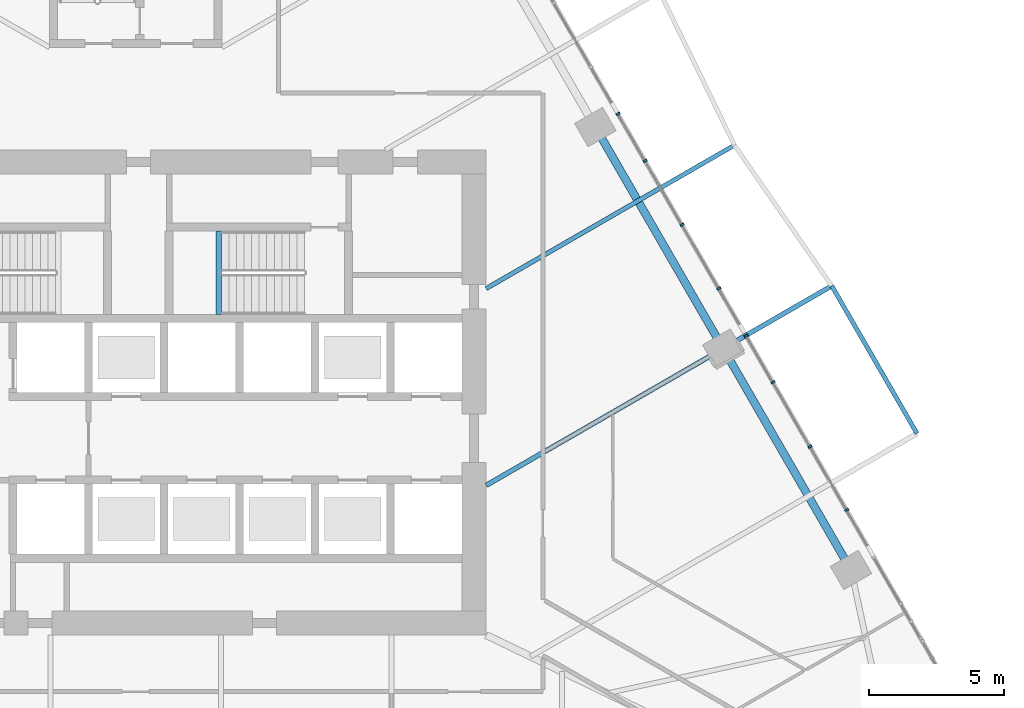
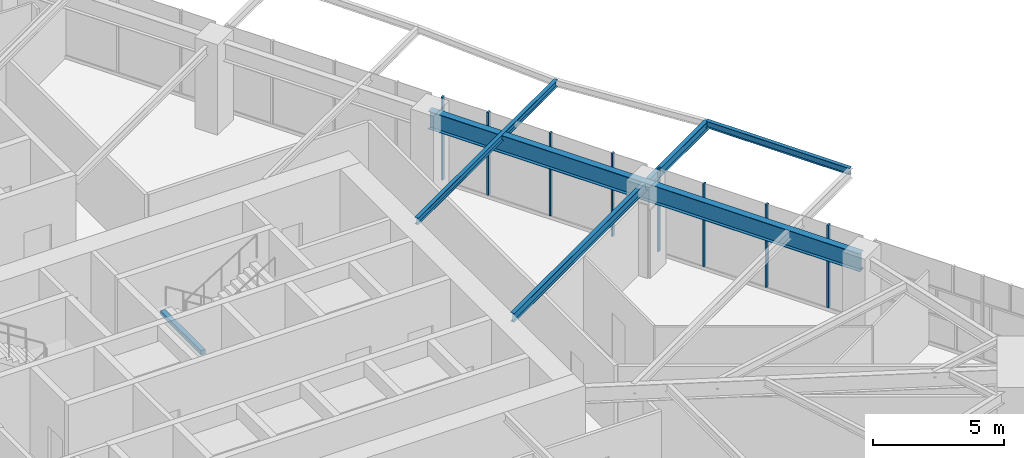
# One storey, part 8 of 26: 8 members, 5 beams, 1 element without a shape of its own.
"""IFC4 building model written with IfcOpenShell, lengths in metres."""

import ifcopenshell
import ifcopenshell.guid

model = None  # the IFC model being written
_history = None  # IfcOwnerHistory: only IFC2X3 demands one
_inside = {}  # id of a spatial element -> (the spatial element, [elements in it])
_under = {}  # id of a project, library or spatial element -> (it, [spatial elements below it])
_declared = {}  # id of a project -> (the project, [libraries it declares])
_typed = {}  # id of a type object -> (the type object, [elements of that type])
_made_of = {}  # id of a material, layer set ... -> (it, [elements and type objects made of it])


def new_model(schema):
    """Start an empty IFC model of exactly this schema.

    Asked for "IFC4X3", IfcOpenShell would pick the latest addendum, in which some entities
    have other attributes; the version numbers below select the first issue.
    IFC2X3 requires an IfcOwnerHistory on every rooted entity: one is made here for all.
    """
    global model, _history
    if schema == "IFC4X3":
        model = ifcopenshell.file(schema_version=(4, 3, 0, 0))
    else:
        model = ifcopenshell.file(schema=schema)
    _inside.clear()
    _under.clear()
    _declared.clear()
    _typed.clear()
    _made_of.clear()
    _history = None
    if model.schema == "IFC2X3":
        org = make("IfcOrganization", Name="unknown")
        user = make(
            "IfcPersonAndOrganization",
            ThePerson=make("IfcPerson", FamilyName="unknown"),
            TheOrganization=org,
        )
        app = make(
            "IfcApplication",
            ApplicationDeveloper=org,
            Version="unknown",
            ApplicationFullName="unknown",
            ApplicationIdentifier="unknown",
        )
        _history = make(
            "IfcOwnerHistory",
            OwningUser=user,
            OwningApplication=app,
            ChangeAction="ADDED",
            CreationDate=0,
        )
    return model


def make(cls, **values):
    """One entity of the class cls with the attributes given. An attribute that is None is left unset."""
    return model.create_entity(
        cls, **{name: value for name, value in values.items() if value is not None}
    )


def rooted(cls, **values):
    """An entity with a GlobalId (a new one), such as an element, a storey or a relation."""
    return make(cls, GlobalId=ifcopenshell.guid.new(), OwnerHistory=_history, **values)


def si_unit(unit_type, name, prefix=None):
    """IfcSIUnit, for example si_unit("LENGTHUNIT", "METRE", prefix="MILLI")."""
    return make("IfcSIUnit", UnitType=unit_type, Prefix=prefix, Name=name)


def assignment(units):
    """IfcUnitAssignment: the units of a project."""
    return None if units is None else make("IfcUnitAssignment", Units=units)


def point(xyz):
    """IfcCartesianPoint."""
    return None if xyz is None else make("IfcCartesianPoint", Coordinates=xyz)


def direction(xyz):
    """IfcDirection."""
    return None if xyz is None else make("IfcDirection", DirectionRatios=xyz)


def frame(location, z_axis=None, x_axis=None):
    """IfcAxis2Placement3D, a coordinate frame: its origin and axes. An axis left out is left unset."""
    return make(
        "IfcAxis2Placement3D",
        Location=point(location),
        Axis=direction(z_axis),
        RefDirection=direction(x_axis),
    )


def frame_2d(location, x_axis=None):
    """IfcAxis2Placement2D, a coordinate frame in the plane: its origin and x axis."""
    return make(
        "IfcAxis2Placement2D", Location=point(location), RefDirection=direction(x_axis)
    )


def origin():
    """The frame at (0, 0, 0) with its axes left unset."""
    return frame((0.0, 0.0, 0.0))


def origin_2d():
    """The frame at (0, 0) in the plane with its x axis left unset."""
    return frame_2d((0.0, 0.0))


def place(relative_to, where):
    """IfcLocalPlacement: puts the frame where relative to a parent placement (None: the world)."""
    return make(
        "IfcLocalPlacement", PlacementRelTo=relative_to, RelativePlacement=where
    )


def context(
    kind, dimensions, precision=None, world=None, true_north=None, identifier=None
):
    """IfcGeometricRepresentationContext, for example the 3D "Model" context."""
    return make(
        "IfcGeometricRepresentationContext",
        ContextIdentifier=identifier,
        ContextType=kind,
        CoordinateSpaceDimension=dimensions,
        Precision=precision,
        WorldCoordinateSystem=world,
        TrueNorth=true_north,
    )


def subcontext(parent, identifier, kind, view, scale=None):
    """IfcGeometricRepresentationSubContext, for example "Body" below "Model"."""
    return make(
        "IfcGeometricRepresentationSubContext",
        ContextIdentifier=identifier,
        ContextType=kind,
        ParentContext=parent,
        TargetScale=scale,
        TargetView=view,
    )


def project(units=None, contexts=None):
    """IfcProject with its units and contexts."""
    return rooted(
        "IfcProject",
        Name="project",
        RepresentationContexts=contexts,
        UnitsInContext=assignment(units),
    )


def spatial(cls, under=None, at=None, **own):
    """A site, building, storey or space (cls), placed at a placement, below another one or the project."""
    s = rooted(cls, ObjectPlacement=at, **own)
    if under is not None:
        _under.setdefault(under.id(), (under, []))[1].append(s)
    return s


def profile(cls, at=None, kind="AREA", **sizes):
    """A parametric profile (cls). Its sizes go by their IFC names, for example OverallWidth=200.0."""
    return make(cls, ProfileType=kind, Position=at, **sizes)


def rectangle(**sizes):
    """IfcRectangleProfileDef."""
    return profile("IfcRectangleProfileDef", **sizes)


def i_section(**sizes):
    """IfcIShapeProfileDef."""
    return profile("IfcIShapeProfileDef", **sizes)


def extrude(swept, where, along, depth):
    """IfcExtrudedAreaSolid: the profile swept, set in the frame where, extruded along a direction by depth."""
    return make(
        "IfcExtrudedAreaSolid",
        SweptArea=swept,
        Position=where,
        ExtrudedDirection=direction(along),
        Depth=depth,
    )


def shape(context_of_items, identifier, shape_type, items):
    """IfcShapeRepresentation: the items that make up one representation, for example the "Body"."""
    return make(
        "IfcShapeRepresentation",
        ContextOfItems=context_of_items,
        RepresentationIdentifier=identifier,
        RepresentationType=shape_type,
        Items=items,
    )


def material(Name=None, Category=None):
    """IfcMaterial."""
    return make("IfcMaterial", Name=Name, Category=Category)


def layer(
    of_material, thickness, ventilated=None, Name=None, Category=None, Priority=None
):
    """IfcMaterialLayer: one layer of a wall or slab, of a material (None: an air gap)."""
    return make(
        "IfcMaterialLayer",
        Material=of_material,
        LayerThickness=thickness,
        IsVentilated=ventilated,
        Name=Name,
        Category=Category,
        Priority=Priority,
    )


def layer_set(layers, Name=None):
    """IfcMaterialLayerSet."""
    return make("IfcMaterialLayerSet", MaterialLayers=layers, LayerSetName=Name)


def material_profile(
    of_material, cross_section, Name=None, Category=None, Priority=None
):
    """IfcMaterialProfile: a cross section and its material."""
    return make(
        "IfcMaterialProfile",
        Name=Name,
        Material=of_material,
        Profile=cross_section,
        Priority=Priority,
        Category=Category,
    )


def profile_set(profiles, Name=None, composite=None):
    """IfcMaterialProfileSet."""
    return make(
        "IfcMaterialProfileSet",
        Name=Name,
        MaterialProfiles=profiles,
        CompositeProfile=composite,
    )


def made_of(thing, what):
    """Note that an element or type object is made of a material, layer set ...; save() writes the relation."""
    if what is not None:
        _made_of.setdefault(what.id(), (what, []))[1].append(thing)
    return thing


def type_object(cls, material=None, **own):
    """A type object (cls), such as IfcWallType, which elements share."""
    return made_of(rooted(cls, **own), material)


def element(
    cls,
    number,
    at=None,
    inside=None,
    cuts=None,
    type_object=None,
    material=None,
    context=None,
    identifier="Body",
    shape_type=None,
    held_by="IfcProductDefinitionShape",
    body=None,
    shapes=None,
    **own,
):
    """One element of the class cls, such as IfcWall. Its Tag is "e" and its number.

    at: its placement. inside: the storey or other place that contains it. cuts: it is an
    opening in that element (IfcRelVoidsElement). A single representation is given by context,
    identifier, shape_type and body (its items); several are given by shapes. held_by: the class
    of the entity that holds the representations. save() writes the other relations.
    """
    e = rooted(cls, Tag="e%d" % number, ObjectPlacement=at, **own)
    if body is not None:
        shapes = [shape(context, identifier, shape_type, body)]
    if shapes is not None:
        e.Representation = make(held_by, Representations=shapes)
    if inside is not None:
        _inside.setdefault(inside.id(), (inside, []))[1].append(e)
    if cuts is not None:
        rooted(
            "IfcRelVoidsElement", RelatingBuildingElement=cuts, RelatedOpeningElement=e
        )
    if type_object is not None:
        _typed.setdefault(type_object.id(), (type_object, []))[1].append(e)
    return made_of(e, material)


def aggregate(whole, parts):
    """IfcRelAggregates: a whole, such as a stair, and the parts it consists of."""
    return rooted("IfcRelAggregates", RelatingObject=whole, RelatedObjects=parts)


def save(model, path):
    """Write the relations noted so far, then the file.

    IfcRelAggregates (storeys below a building ...), IfcRelContainedInSpatialStructure (elements
    in a storey), IfcRelDefinesByType, IfcRelAssociatesMaterial and IfcRelDeclares: one each for
    every whole, place, type object, material and project.
    """
    for whole, parts in _under.values():
        aggregate(whole, parts)
    for where, things in _inside.values():
        rooted(
            "IfcRelContainedInSpatialStructure",
            RelatedElements=things,
            RelatingStructure=where,
        )
    for kind, things in _typed.values():
        rooted("IfcRelDefinesByType", RelatedObjects=things, RelatingType=kind)
    for what, things in _made_of.values():
        rooted("IfcRelAssociatesMaterial", RelatedObjects=things, RelatingMaterial=what)
    for by, libraries in _declared.values():
        rooted("IfcRelDeclares", RelatingContext=by, RelatedDefinitions=libraries)
    model.write(path)


model = new_model("IFC4")

# Units and contexts
model_context = context("Model", 3, precision=1e-05, world=origin(), true_north=direction((0.0, 1.0)))
body_context = subcontext(model_context, "Body", "Model", "MODEL_VIEW")
ifc_project = project(units=[si_unit("LENGTHUNIT", "METRE"), si_unit("AREAUNIT", "SQUARE_METRE"), si_unit("VOLUMEUNIT", "CUBIC_METRE"), si_unit("PLANEANGLEUNIT", "RADIAN"), si_unit("MASSUNIT", "GRAM", prefix="KILO")], contexts=[model_context])

# Site, building, storey
site_placement = place(None, origin())
site = spatial("IfcSite", under=ifc_project, at=site_placement, CompositionType="ELEMENT")
building_placement = place(site_placement, origin())
building = spatial("IfcBuilding", under=site, at=building_placement, Name="Firuza Gate Tower and Library", CompositionType="ELEMENT")
storey_placement = place(building_placement, frame((0.0, 0.0, 77.800048828125)))
storey = spatial("IfcBuildingStorey", under=building, at=storey_placement, Name="L17", CompositionType="ELEMENT", Elevation=77.800048828125)

# Curtain wall, members
ifc_material_1 = material(Name="Aluminium 6063-T6", Category="aluminium")
ifc_layer = layer(ifc_material_1, 0.14990234375)
ifc_layer_set = layer_set([ifc_layer], Name="Unitised curtain wall, offices")
curtain_wall_type = type_object("IfcCurtainWallType", Name="Unitised curtain wall, offices", PredefinedType="NOTDEFINED", material=ifc_layer_set)
curtain_wall_placement = place(storey_placement, origin())
curtain_wall = element("IfcCurtainWall", 1, at=curtain_wall_placement, inside=storey, type_object=curtain_wall_type, Name="CW1 L17 E face", PredefinedType="NOTDEFINED")
ifc_material_2 = material(Name="Aluminium 6063-T6", Category="aluminium")
ifc_material_profile_1 = material_profile(ifc_material_2, rectangle(XDim=0.14990234375, YDim=0.080078125, at=origin_2d()))
ifc_profile_set_1 = profile_set([ifc_material_profile_1], Name="Aluminium 6063-T6")
member_type = type_object("IfcMemberType", Name="Curtain wall mullion 80x150", PredefinedType="MULLION", material=ifc_profile_set_1)
member_1_placement = place(storey_placement, frame((100.017822265625, 72.989990234375, 0.14990234375), z_axis=(0.0, 0.0, 1.0), x_axis=(-0.866025403784, -0.5, 0.0)))
member_1 = element("IfcMember", 2, at=member_1_placement, type_object=member_type, Name="Mullion", PredefinedType="MULLION", context=body_context, shape_type="SweptSolid", body=[
    extrude(rectangle(XDim=0.14990234375, YDim=0.080078125, at=origin_2d()), origin(), (0.0, 0.0, 1.0), 3.85009765625),
])
member_2_placement = place(storey_placement, frame((97.642822265625, 77.103515625, 0.14990234375), z_axis=(0.0, 0.0, 1.0), x_axis=(-0.866025403784, -0.5, 0.0)))
member_2 = element("IfcMember", 3, at=member_2_placement, type_object=member_type, Name="Mullion", PredefinedType="MULLION", context=body_context, shape_type="SweptSolid", body=[
    extrude(rectangle(XDim=0.14990234375, YDim=0.080078125, at=origin_2d()), origin(), (0.0, 0.0, 1.0), 3.85009765625),
])
member_3_placement = place(storey_placement, frame((95.267822265625, 81.217041015625, 0.14990234375), z_axis=(0.0, 0.0, 1.0), x_axis=(-0.866025403784, -0.5, 0.0)))
member_3 = element("IfcMember", 4, at=member_3_placement, type_object=member_type, Name="Mullion", PredefinedType="MULLION", context=body_context, shape_type="SweptSolid", body=[
    extrude(rectangle(XDim=0.14990234375, YDim=0.080078125, at=origin_2d()), origin(), (0.0, 0.0, 1.0), 3.85009765625),
])
member_4_placement = place(storey_placement, frame((92.892822265625, 85.33056640625, 0.14990234375), z_axis=(0.0, 0.0, 1.0), x_axis=(-0.866025403784, -0.5, 0.0)))
member_4 = element("IfcMember", 5, at=member_4_placement, type_object=member_type, Name="Mullion", PredefinedType="MULLION", context=body_context, shape_type="SweptSolid", body=[
    extrude(rectangle(XDim=0.14990234375, YDim=0.080078125, at=origin_2d()), origin(), (0.0, 0.0, 1.0), 3.85009765625),
])
member_5_placement = place(storey_placement, frame((101.373779296875, 70.641357421875, 0.14990234375), z_axis=(0.0, 0.0, 1.0), x_axis=(-0.866025403784, -0.5, 0.0)))
member_5 = element("IfcMember", 6, at=member_5_placement, type_object=member_type, Name="Mullion", PredefinedType="MULLION", context=body_context, shape_type="SweptSolid", body=[
    extrude(rectangle(XDim=0.14990234375, YDim=0.080078125, at=origin_2d()), origin(), (0.0, 0.0, 1.0), 3.85009765625),
])
member_6_placement = place(storey_placement, frame((98.64013671875, 75.3759765625, 0.14990234375), z_axis=(0.0, 0.0, 1.0), x_axis=(-0.866025403784, -0.5, 0.0)))
member_6 = element("IfcMember", 7, at=member_6_placement, type_object=member_type, Name="Mullion", PredefinedType="MULLION", context=body_context, shape_type="SweptSolid", body=[
    extrude(rectangle(XDim=0.14990234375, YDim=0.080078125, at=origin_2d()), origin(), (0.0, 0.0, 1.0), 3.85009765625),
])
member_7_placement = place(storey_placement, frame((96.631103515625, 78.85595703125, 0.14990234375), z_axis=(0.0, 0.0, 1.0), x_axis=(-0.866025403784, -0.5, 0.0)))
member_7 = element("IfcMember", 8, at=member_7_placement, type_object=member_type, Name="Mullion", PredefinedType="MULLION", context=body_context, shape_type="SweptSolid", body=[
    extrude(rectangle(XDim=0.14990234375, YDim=0.080078125, at=origin_2d()), origin(), (0.0, 0.0, 1.0), 3.85009765625),
])
member_8_placement = place(storey_placement, frame((93.8974609375, 83.590576171875, 0.14990234375), z_axis=(0.0, 0.0, 1.0), x_axis=(-0.866025403784, -0.5, 0.0)))
member_8 = element("IfcMember", 9, at=member_8_placement, type_object=member_type, Name="Mullion", PredefinedType="MULLION", context=body_context, shape_type="SweptSolid", body=[
    extrude(rectangle(XDim=0.14990234375, YDim=0.080078125, at=origin_2d()), origin(), (0.0, 0.0, 1.0), 3.85009765625),
])
aggregate(curtain_wall, [member_1, member_2, member_3, member_4, member_5, member_6, member_7, member_8])

# Beams
ifc_material_3 = material(Name="Concrete C35/45", Category="concrete")
ifc_material_profile_2 = material_profile(ifc_material_3, rectangle(XDim=0.199951171875, YDim=0.199951171875, at=origin_2d()))
ifc_profile_set_2 = profile_set([ifc_material_profile_2], Name="Concrete C35/45")
beam_type_1 = type_object("IfcBeamType", Name="Stair landing bearer 200x200", PredefinedType="BEAM", material=ifc_profile_set_2)
beam_1_placement = place(storey_placement, frame((78.080078125, 80.97998046875, 1.800048828125), z_axis=(0.0, -1.0, 0.0), x_axis=(1.0, 0.0, 0.0)))
element("IfcBeam", 10, at=beam_1_placement, inside=storey, type_object=beam_type_1, Name="Landing bearer L17 stair 2", PredefinedType="BEAM", context=body_context, shape_type="SweptSolid", body=[
    extrude(rectangle(XDim=0.199951171875, YDim=0.199951171875, at=origin_2d()), origin(), (0.0, 0.0, 1.0), 3.080078125),
])
ifc_material_4 = material(Name="Steel S355", Category="steel")
ifc_material_profile_3 = material_profile(ifc_material_4, i_section(OverallWidth=0.1650390625, OverallDepth=0.31005859375, WebThickness=0.005859375, FlangeThickness=0.009765625, at=origin_2d()))
ifc_profile_set_3 = profile_set([ifc_material_profile_3], Name="Steel S355")
beam_type_2 = type_object("IfcBeamType", Name="W310x39 Floor beam", PredefinedType="JOIST", material=ifc_profile_set_3)
beam_2_placement = place(storey_placement, frame((97.209228515625, 84.171630859375, 3.844970703125), z_axis=(-0.866027685376, -0.499996048146, 0.0), x_axis=(0.499996048146, -0.866027685376, 0.0)))
element("IfcBeam", 11, at=beam_2_placement, inside=storey, type_object=beam_type_2, Name="Floor beam L17 s52", PredefinedType="JOIST", context=body_context, shape_type="SweptSolid", body=[
    extrude(i_section(OverallWidth=0.1650390625, OverallDepth=0.31005859375, WebThickness=0.005859375, FlangeThickness=0.009765625, at=origin_2d()), origin(), (0.0, 0.0, 1.0), 10.6337890625),
])
beam_3_placement = place(storey_placement, frame((103.97998046875, 73.47705078125, 3.844970703125), z_axis=(-0.500013207142, 0.866017778503, 0.0), x_axis=(-0.866017778503, -0.500013207142, 0.0)))
element("IfcBeam", 12, at=beam_3_placement, inside=storey, type_object=beam_type_2, Name="Tray edge beam L17 s50-s51", PredefinedType="JOIST", context=body_context, shape_type="SweptSolid", body=[
    extrude(i_section(OverallWidth=0.1650390625, OverallDepth=0.31005859375, WebThickness=0.005859375, FlangeThickness=0.009765625, at=origin_2d()), origin(), (0.0, 0.0, 1.0), 6.323486328125),
])
ifc_material_5 = material(Name="Steel S355", Category="steel")
ifc_material_profile_4 = material_profile(ifc_material_5, i_section(OverallWidth=0.177978515625, OverallDepth=0.406982421875, WebThickness=0.0078125, FlangeThickness=0.0126953125, at=origin_2d()))
ifc_profile_set_4 = profile_set([ifc_material_profile_4], Name="Steel S355")
beam_type_3 = type_object("IfcBeamType", Name="W410x60 Floor beam", PredefinedType="JOIST", material=ifc_profile_set_4)
beam_4_placement = place(storey_placement, frame((100.818115234375, 78.953369140625, 3.79638671875), z_axis=(-0.866029840543, -0.49999231523, 0.0), x_axis=(0.49999231523, -0.866029840543, 0.0)))
element("IfcBeam", 13, at=beam_4_placement, inside=storey, type_object=beam_type_3, Name="Floor beam L17 s51", PredefinedType="JOIST", context=body_context, shape_type="SweptSolid", body=[
    extrude(i_section(OverallWidth=0.177978515625, OverallDepth=0.406982421875, WebThickness=0.0078125, FlangeThickness=0.0126953125, at=origin_2d()), origin(), (0.0, 0.0, 1.0), 14.801025390625),
])
ifc_material_6 = material(Name="Steel S355", Category="steel")
ifc_material_profile_5 = material_profile(ifc_material_6, i_section(OverallWidth=0.2919921875, OverallDepth=0.8349609375, WebThickness=0.013916015625, FlangeThickness=0.018798828125, at=origin_2d()))
ifc_profile_set_5 = profile_set([ifc_material_profile_5], Name="Steel S355")
beam_type_4 = type_object("IfcBeamType", Name="W840x176 Edge beam", PredefinedType="SPANDREL", material=ifc_profile_set_5)
beam_5_placement = place(storey_placement, frame((101.533935546875, 68.4140625, 3.58251953125), z_axis=(-0.500003555199, 0.866023351179, 0.0), x_axis=(-0.866023351179, -0.500003555199, 0.0)))
element("IfcBeam", 14, at=beam_5_placement, inside=storey, type_object=beam_type_4, Name="Edge beam L17 e50", PredefinedType="SPANDREL", context=body_context, shape_type="SweptSolid", body=[
    extrude(i_section(OverallWidth=0.2919921875, OverallDepth=0.8349609375, WebThickness=0.013916015625, FlangeThickness=0.018798828125, at=origin_2d()), origin(), (0.0, 0.0, 1.0), 18.970458984375),
])

save(model, "model.ifc")
